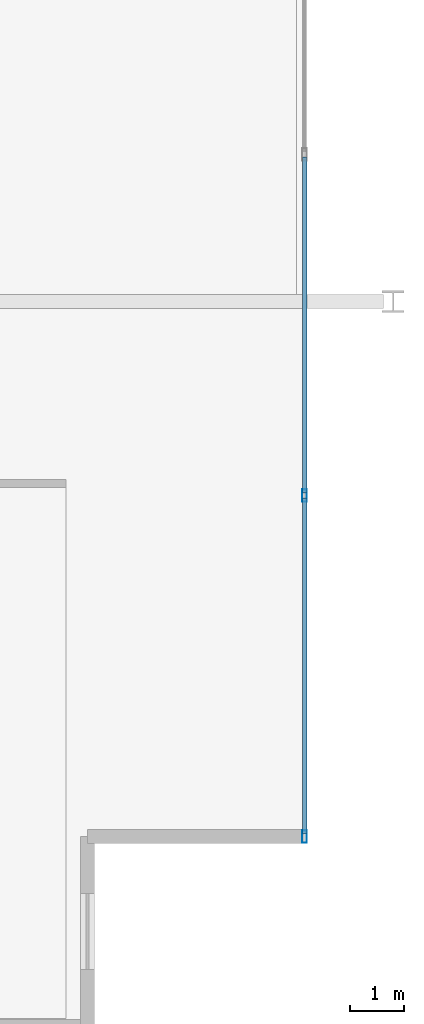
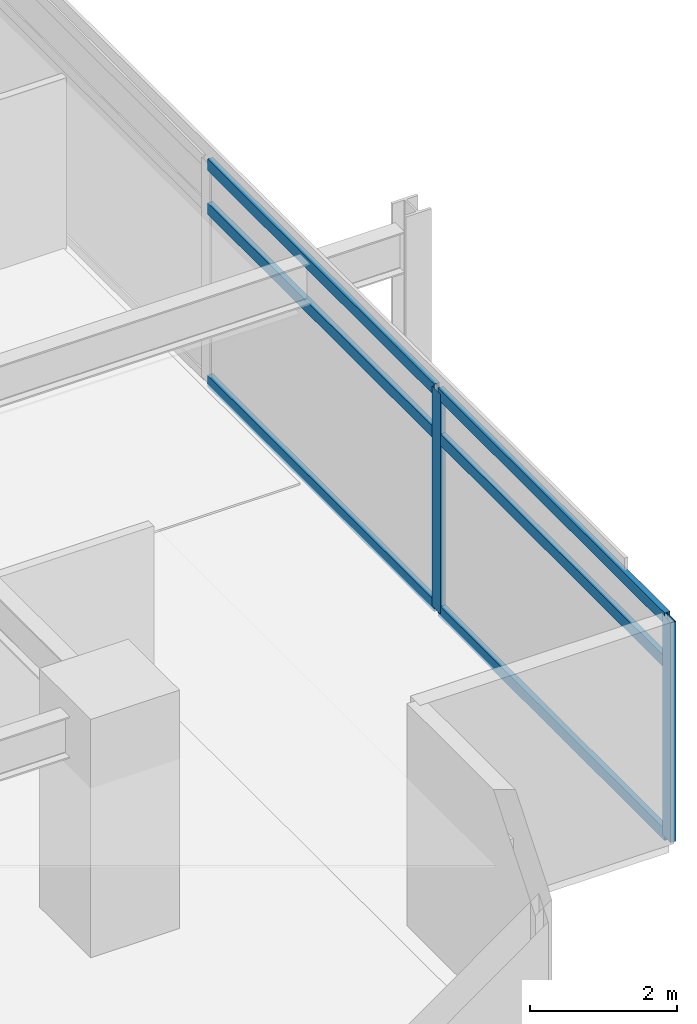
# One storey, part 2 of 22: 8 members, 1 element without a shape of its own.
"""IFC4 building model written with IfcOpenShell, lengths in metres."""

from ifc_helpers import new_model, si_unit, direction, frame, origin, origin_2d, place, context, subcontext, project, spatial, hollow_rectangle, extrude, material, material_profile, profile_set, type_object, element, aggregate, save


model = new_model("IFC4")

# Units and contexts
model_context = context("Model", 3, precision=1e-05, world=origin(), true_north=direction((0.0, 1.0)))
body_context = subcontext(model_context, "Body", "Model", "MODEL_VIEW")
ifc_project = project(units=[si_unit("LENGTHUNIT", "METRE"), si_unit("AREAUNIT", "SQUARE_METRE"), si_unit("VOLUMEUNIT", "CUBIC_METRE"), si_unit("PLANEANGLEUNIT", "RADIAN"), si_unit("MASSUNIT", "GRAM", prefix="KILO")], contexts=[model_context])

# Site, building, storey
site_placement = place(None, origin())
site = spatial("IfcSite", under=ifc_project, at=site_placement, CompositionType="ELEMENT")
building_placement = place(site_placement, origin())
building = spatial("IfcBuilding", under=site, at=building_placement, Name="Kovane Verandah Tower", CompositionType="ELEMENT")
storey_placement = place(building_placement, frame((0.0, 0.0, 229.199951171875)))
storey = spatial("IfcBuildingStorey", under=building, at=storey_placement, Name="L53", CompositionType="ELEMENT", Elevation=229.199951171875)

# Curtain wall, members
ifc_material_1 = material(Name="Champagne Anodised Aluminium Frame with Low-E Clear Laminated Glass", Category="aluminium")
curtain_wall_type = type_object("IfcCurtainWallType", Name="CW-SYS-03-MID", PredefinedType="NOTDEFINED", material=ifc_material_1)
curtain_wall_placement = place(storey_placement, origin())
curtain_wall = element("IfcCurtainWall", 1, at=curtain_wall_placement, inside=storey, type_object=curtain_wall_type, Name="L53 E Unitised Curtain Wall", PredefinedType="NOTDEFINED")
ifc_material_2 = material(Name="Champagne Anodised Aluminium 6063-T6", Category="aluminium")
ifc_material_profile_1 = material_profile(ifc_material_2, hollow_rectangle(XDim=0.0849609375, YDim=0.22998046875, WallThickness=0.00390625, at=origin_2d()), Name="AL85x230x4")
ifc_profile_set_1 = profile_set([ifc_material_profile_1], Name="Champagne Anodised Aluminium 6063-T6")
member_type_1 = type_object("IfcMemberType", Name="CW-MUL-85x230", PredefinedType="MULLION", material=ifc_profile_set_1)
member_1_placement = place(storey_placement, frame((65.96923828125, 8.639892578125, 0.02001953125), z_axis=(0.0, 0.0, 1.0), x_axis=(1.0, 0.0, 0.0)))
member_1 = element("IfcMember", 2, at=member_1_placement, type_object=member_type_1, Name="L53 E Unitised Curtain Wall Mullion 1", PredefinedType="MULLION", context=body_context, shape_type="SweptSolid", body=[
    extrude(hollow_rectangle(XDim=0.0849609375, YDim=0.22998046875, WallThickness=0.00390625, at=origin_2d()), origin(), (0.0, 0.0, 1.0), 3.659912109375),
])
member_2_placement = place(storey_placement, frame((65.96923828125, 14.926513671875, 0.02001953125), z_axis=(0.0, 0.0, 1.0), x_axis=(1.0, 0.0, 0.0)))
member_2 = element("IfcMember", 3, at=member_2_placement, type_object=member_type_1, Name="L53 E Unitised Curtain Wall Mullion 2", PredefinedType="MULLION", context=body_context, shape_type="SweptSolid", body=[
    extrude(hollow_rectangle(XDim=0.0849609375, YDim=0.22998046875, WallThickness=0.00390625, at=origin_2d()), origin(), (0.0, 0.0, 1.0), 3.659912109375),
])
ifc_material_profile_2 = material_profile(ifc_material_2, hollow_rectangle(XDim=0.0849609375, YDim=0.18994140625, WallThickness=0.00390625, at=origin_2d()), Name="AL85x190x4")
ifc_profile_set_2 = profile_set([ifc_material_profile_2], Name="Champagne Anodised Aluminium 6063-T6")
member_type_2 = type_object("IfcMemberType", Name="CW-TRN-85x190", PredefinedType="USERDEFINED", material=ifc_profile_set_2)
member_3_placement = place(storey_placement, frame((65.96923828125, 8.68994140625, 0.050048828125), z_axis=(0.0, 1.0, 0.0), x_axis=(-1.0, 0.0, 0.0)))
member_3 = element("IfcMember", 4, at=member_3_placement, type_object=member_type_2, Name="L53 E Unitised Curtain Wall Transom TB Bay 1", ObjectType="TRANSOM", PredefinedType="USERDEFINED", context=body_context, shape_type="SweptSolid", body=[
    extrude(hollow_rectangle(XDim=0.0849609375, YDim=0.18994140625, WallThickness=0.00390625, at=origin_2d()), origin(), (0.0, 0.0, 1.0), 6.186767578125),
])
member_4_placement = place(storey_placement, frame((65.96923828125, 8.68994140625, 2.920166015625), z_axis=(0.0, 1.0, 0.0), x_axis=(-1.0, 0.0, 0.0)))
member_4 = element("IfcMember", 5, at=member_4_placement, type_object=member_type_2, Name="L53 E Unitised Curtain Wall Transom TM Bay 1", ObjectType="TRANSOM", PredefinedType="USERDEFINED", context=body_context, shape_type="SweptSolid", body=[
    extrude(hollow_rectangle(XDim=0.0849609375, YDim=0.18994140625, WallThickness=0.00390625, at=origin_2d()), origin(), (0.0, 0.0, 1.0), 6.186767578125),
])
member_5_placement = place(storey_placement, frame((65.96923828125, 8.68994140625, 3.650146484375), z_axis=(0.0, 1.0, 0.0), x_axis=(-1.0, 0.0, 0.0)))
member_5 = element("IfcMember", 6, at=member_5_placement, type_object=member_type_2, Name="L53 E Unitised Curtain Wall Transom TT Bay 1", ObjectType="TRANSOM", PredefinedType="USERDEFINED", context=body_context, shape_type="SweptSolid", body=[
    extrude(hollow_rectangle(XDim=0.0849609375, YDim=0.18994140625, WallThickness=0.00390625, at=origin_2d()), origin(), (0.0, 0.0, 1.0), 6.186767578125),
])
member_6_placement = place(storey_placement, frame((65.96923828125, 14.9765625, 0.050048828125), z_axis=(0.0, 1.0, 0.0), x_axis=(-1.0, 0.0, 0.0)))
member_6 = element("IfcMember", 7, at=member_6_placement, type_object=member_type_2, Name="L53 E Unitised Curtain Wall Transom TB Bay 2", ObjectType="TRANSOM", PredefinedType="USERDEFINED", context=body_context, shape_type="SweptSolid", body=[
    extrude(hollow_rectangle(XDim=0.0849609375, YDim=0.18994140625, WallThickness=0.00390625, at=origin_2d()), origin(), (0.0, 0.0, 1.0), 6.186767578125),
])
member_7_placement = place(storey_placement, frame((65.96923828125, 14.9765625, 2.920166015625), z_axis=(0.0, 1.0, 0.0), x_axis=(-1.0, 0.0, 0.0)))
member_7 = element("IfcMember", 8, at=member_7_placement, type_object=member_type_2, Name="L53 E Unitised Curtain Wall Transom TM Bay 2", ObjectType="TRANSOM", PredefinedType="USERDEFINED", context=body_context, shape_type="SweptSolid", body=[
    extrude(hollow_rectangle(XDim=0.0849609375, YDim=0.18994140625, WallThickness=0.00390625, at=origin_2d()), origin(), (0.0, 0.0, 1.0), 6.186767578125),
])
member_8_placement = place(storey_placement, frame((65.96923828125, 14.9765625, 3.650146484375), z_axis=(0.0, 1.0, 0.0), x_axis=(-1.0, 0.0, 0.0)))
member_8 = element("IfcMember", 9, at=member_8_placement, type_object=member_type_2, Name="L53 E Unitised Curtain Wall Transom TT Bay 2", ObjectType="TRANSOM", PredefinedType="USERDEFINED", context=body_context, shape_type="SweptSolid", body=[
    extrude(hollow_rectangle(XDim=0.0849609375, YDim=0.18994140625, WallThickness=0.00390625, at=origin_2d()), origin(), (0.0, 0.0, 1.0), 6.186767578125),
])
aggregate(curtain_wall, [member_1, member_2, member_3, member_4, member_5, member_6, member_7, member_8])

save(model, "model.ifc")
